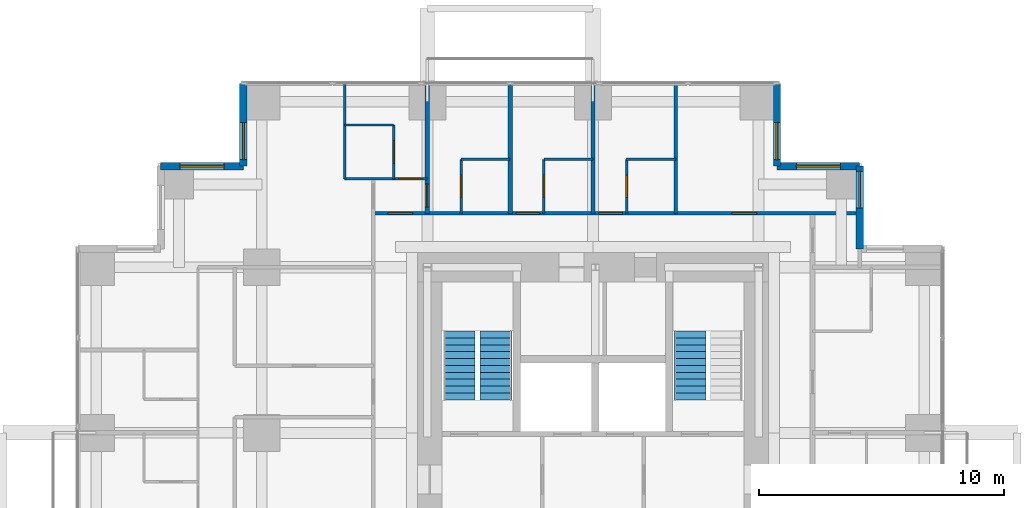
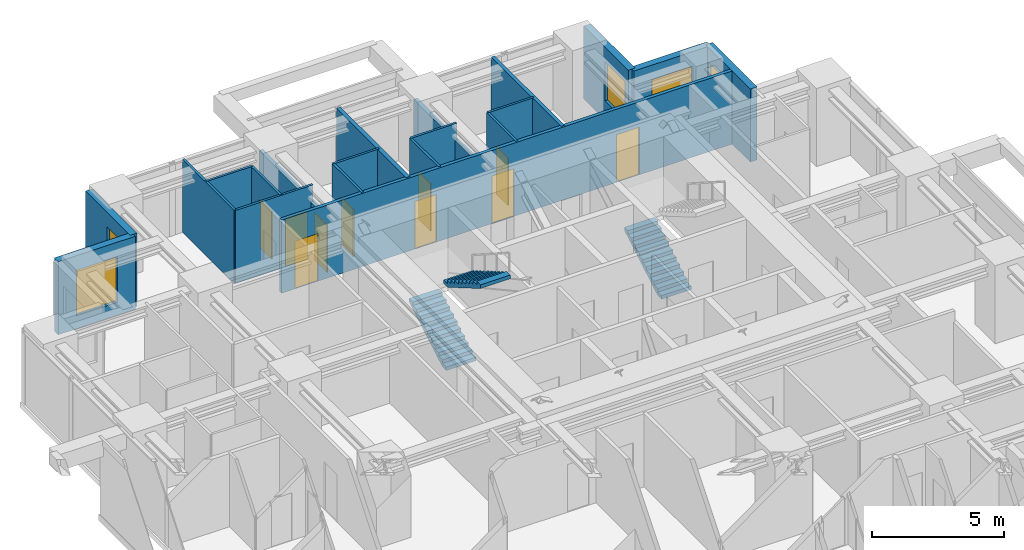
# One storey, part 9 of 11: 20 walls, 10 doors, 5 windows, 3 stair flights, 15 openings, 2 elements without a shape of their own.
"""IFC4 building model written with IfcOpenShell, lengths in metres."""

from ifc_helpers import new_model, si_unit, direction, frame, frame_2d, origin, place, context, subcontext, project, spatial, polyline, rectangle, outline, extrude, material, layer, layer_set, type_object, element, fill, aggregate, save


model = new_model("IFC4")

# Units and contexts
model_context = context("Model", 3, precision=1e-05, world=origin(), true_north=direction((0.0, 1.0)))
body_context = subcontext(model_context, "Body", "Model", "MODEL_VIEW")
ifc_project = project(units=[si_unit("LENGTHUNIT", "METRE"), si_unit("AREAUNIT", "SQUARE_METRE"), si_unit("VOLUMEUNIT", "CUBIC_METRE"), si_unit("PLANEANGLEUNIT", "RADIAN"), si_unit("MASSUNIT", "GRAM", prefix="KILO")], contexts=[model_context])

# Site, building, storey
site_placement = place(None, origin())
site = spatial("IfcSite", under=ifc_project, at=site_placement, CompositionType="ELEMENT")
building_placement = place(site_placement, origin())
building = spatial("IfcBuilding", under=site, at=building_placement, Name="Nyansa Garden Tower", CompositionType="ELEMENT")
storey_placement = place(building_placement, frame((0.0, 0.0, 160.199951171875)))
storey = spatial("IfcBuildingStorey", under=building, at=storey_placement, Name="L43", CompositionType="ELEMENT", Elevation=160.199951171875)

# Wall, opening, door
ifc_material_1 = material(Name="Dense blockwork, plastered both sides, 55 dB", Category="masonry")
ifc_layer_1 = layer(ifc_material_1, 0.175048828125)
ifc_layer_set_1 = layer_set([ifc_layer_1], Name="Acoustic party wall PW175")
wall_type_1 = type_object("IfcWallType", Name="Acoustic party wall PW175", PredefinedType="PARTITIONING", material=ifc_layer_set_1)
wall_1_placement = place(storey_placement, frame((13.5, 29.199951171875, 0.0), z_axis=(0.0, 0.0, 1.0), x_axis=(0.0, 1.0, 0.0)))
wall_1 = element("IfcWall", 1, at=wall_1_placement, inside=storey, type_object=wall_type_1, Name="Party wall", PredefinedType="PARTITIONING", context=body_context, shape_type="SweptSolid", body=[
    extrude(rectangle(XDim=5.283935546875, YDim=0.175048828125, at=frame_2d((2.64208984375, 0.0))), origin(), (0.0, 0.0, 1.0), 2.610107421875),
])
opening_1_placement = place(wall_1_placement, frame((0.25, 0.0, 0.0)))
opening_1 = element("IfcOpeningElement", 2, at=opening_1_placement, cuts=wall_1, Name="Opening D14", PredefinedType="OPENING", context=body_context, shape_type="SweptSolid", body=[
    extrude(rectangle(XDim=0.949951171875, YDim=2.199951171875, at=frame_2d((0.47509765625, 1.10009765625))), frame((0.0, 0.097412109375, 0.0), z_axis=(0.0, -1.0, 0.0), x_axis=(1.0, 0.0, 0.0)), (0.0, 0.0, 1.0), 0.195068359375),
])
ifc_material_2 = material(Name="Timber flush door, 60 minute fire resisting, self-closing", Category="wood")
door_type_1 = type_object("IfcDoorType", Name="Studio entrance door D14 950x2200", OperationType="SINGLE_SWING_LEFT", PredefinedType="DOOR", material=ifc_material_2)
door_1_placement = place(opening_1_placement, origin())
door_1 = element("IfcDoor", 3, at=door_1_placement, inside=storey, type_object=door_type_1, Name="Door L43-042", OperationType="SINGLE_SWING_LEFT", OverallHeight=2.199951171875, OverallWidth=0.949951171875, PredefinedType="DOOR", context=body_context, shape_type="SweptSolid", body=[
    extrude(rectangle(XDim=0.949951171875, YDim=2.199951171875, at=frame_2d((0.47509765625, 1.10009765625))), frame((0.0, 0.02490234375, 0.0), z_axis=(0.0, -1.0, 0.0), x_axis=(1.0, 0.0, 0.0)), (0.0, 0.0, 1.0), 0.050048828125),
])
fill(opening_1, door_1)

# Walls
wall_2_placement = place(storey_placement, frame((16.875, 29.199951171875, 0.0), z_axis=(0.0, 0.0, 1.0), x_axis=(0.0, 1.0, 0.0)))
element("IfcWall", 4, at=wall_2_placement, inside=storey, type_object=wall_type_1, Name="Party wall", PredefinedType="PARTITIONING", context=body_context, shape_type="SweptSolid", body=[
    extrude(rectangle(XDim=5.283935546875, YDim=0.175048828125, at=frame_2d((2.64208984375, 0.0))), origin(), (0.0, 0.0, 1.0), 3.375),
])
wall_3_placement = place(storey_placement, frame((20.25, 29.199951171875, 0.0), z_axis=(0.0, 0.0, 1.0), x_axis=(0.0, 1.0, 0.0)))
element("IfcWall", 5, at=wall_3_placement, inside=storey, type_object=wall_type_1, Name="Party wall", PredefinedType="PARTITIONING", context=body_context, shape_type="SweptSolid", body=[
    extrude(rectangle(XDim=5.283935546875, YDim=0.175048828125, at=frame_2d((2.64208984375, 0.0))), origin(), (0.0, 0.0, 1.0), 2.610107421875),
])

# Wall, openings, doors
ifc_material_3 = material(Name="Blockwork, plastered both sides", Category="masonry")
ifc_layer_2 = layer(ifc_material_3, 0.14990234375)
ifc_layer_set_2 = layer_set([ifc_layer_2], Name="Partition PW150")
wall_type_2 = type_object("IfcWallType", Name="Partition PW150", PredefinedType="PARTITIONING", material=ifc_layer_set_2)
wall_4_placement = place(storey_placement, frame((11.300048828125, 29.199951171875, 0.0), z_axis=(0.0, 0.0, 1.0), x_axis=(1.0, 0.0, 0.0)))
wall_4 = element("IfcWall", 6, at=wall_4_placement, inside=storey, type_object=wall_type_2, Name="Partition", PredefinedType="PARTITIONING", context=body_context, shape_type="SweptSolid", body=[
    extrude(rectangle(XDim=19.808837890625, YDim=0.14990234375, at=frame_2d((9.904296875, 0.0))), origin(), (0.0, 0.0, 1.0), 3.375),
])
opening_2_placement = place(wall_4_placement, frame((14.625, 0.0, 0.0)))
opening_2 = element("IfcOpeningElement", 7, at=opening_2_placement, cuts=wall_4, Name="Opening D03", PredefinedType="OPENING", context=body_context, shape_type="SweptSolid", body=[
    extrude(rectangle(XDim=1.0, YDim=2.199951171875, at=frame_2d((0.5, 1.10009765625))), frame((0.0, 0.0849609375, 0.0), z_axis=(0.0, -1.0, 0.0), x_axis=(1.0, 0.0, 0.0)), (0.0, 0.0, 1.0), 0.169921875),
])
opening_3_placement = place(wall_4_placement, frame((5.824951171875, 0.0, 0.0)))
opening_3 = element("IfcOpeningElement", 8, at=opening_3_placement, cuts=wall_4, Name="Opening D14", PredefinedType="OPENING", context=body_context, shape_type="SweptSolid", body=[
    extrude(rectangle(XDim=0.949951171875, YDim=2.199951171875, at=frame_2d((0.47509765625, 1.10009765625))), frame((0.0, 0.0849609375, 0.0), z_axis=(0.0, -1.0, 0.0), x_axis=(1.0, 0.0, 0.0)), (0.0, 0.0, 1.0), 0.169921875),
])
opening_4_placement = place(wall_4_placement, frame((9.199951171875, 0.0, 0.0)))
opening_4 = element("IfcOpeningElement", 9, at=opening_4_placement, cuts=wall_4, Name="Opening D14", PredefinedType="OPENING", context=body_context, shape_type="SweptSolid", body=[
    extrude(rectangle(XDim=0.949951171875, YDim=2.199951171875, at=frame_2d((0.47509765625, 1.10009765625))), frame((0.0, 0.0849609375, 0.0), z_axis=(0.0, -1.0, 0.0), x_axis=(1.0, 0.0, 0.0)), (0.0, 0.0, 1.0), 0.169921875),
])
opening_5_placement = place(wall_4_placement, frame((0.60009765625, 0.0, 0.0)))
opening_5 = element("IfcOpeningElement", 10, at=opening_5_placement, cuts=wall_4, Name="Opening D03", PredefinedType="OPENING", context=body_context, shape_type="SweptSolid", body=[
    extrude(rectangle(XDim=1.0, YDim=2.199951171875, at=frame_2d((0.5, 1.10009765625))), frame((0.0, 0.0849609375, 0.0), z_axis=(0.0, -1.0, 0.0), x_axis=(1.0, 0.0, 0.0)), (0.0, 0.0, 1.0), 0.169921875),
])
ifc_material_4 = material(Name="Timber flush door, 60 minute fire resisting", Category="wood")
door_type_2 = type_object("IfcDoorType", Name="Cluster entrance door D03 1000x2200", OperationType="SINGLE_SWING_LEFT", PredefinedType="DOOR", material=ifc_material_4)
door_2_placement = place(opening_2_placement, origin())
door_2 = element("IfcDoor", 11, at=door_2_placement, inside=storey, type_object=door_type_2, Name="Door L43-039", OperationType="SINGLE_SWING_LEFT", OverallHeight=2.199951171875, OverallWidth=1.0, PredefinedType="DOOR", context=body_context, shape_type="SweptSolid", body=[
    extrude(rectangle(XDim=1.0, YDim=2.199951171875, at=frame_2d((0.5, 1.10009765625))), frame((0.0, 0.02490234375, 0.0), z_axis=(0.0, -1.0, 0.0), x_axis=(1.0, 0.0, 0.0)), (0.0, 0.0, 1.0), 0.050048828125),
])
fill(opening_2, door_2)
door_3_placement = place(opening_5_placement, origin())
door_3 = element("IfcDoor", 12, at=door_3_placement, inside=storey, type_object=door_type_2, Name="Door L43-048", OperationType="SINGLE_SWING_LEFT", OverallHeight=2.199951171875, OverallWidth=1.0, PredefinedType="DOOR", context=body_context, shape_type="SweptSolid", body=[
    extrude(rectangle(XDim=1.0, YDim=2.199951171875, at=frame_2d((0.5, 1.10009765625))), frame((0.0, 0.02490234375, 0.0), z_axis=(0.0, -1.0, 0.0), x_axis=(1.0, 0.0, 0.0)), (0.0, 0.0, 1.0), 0.050048828125),
])
fill(opening_5, door_3)
door_4_placement = place(opening_3_placement, origin())
door_4 = element("IfcDoor", 13, at=door_4_placement, inside=storey, type_object=door_type_1, Name="Door L43-044", OperationType="SINGLE_SWING_LEFT", OverallHeight=2.199951171875, OverallWidth=0.949951171875, PredefinedType="DOOR", context=body_context, shape_type="SweptSolid", body=[
    extrude(rectangle(XDim=0.949951171875, YDim=2.199951171875, at=frame_2d((0.47509765625, 1.10009765625))), frame((0.0, 0.02490234375, 0.0), z_axis=(0.0, -1.0, 0.0), x_axis=(1.0, 0.0, 0.0)), (0.0, 0.0, 1.0), 0.050048828125),
])
fill(opening_3, door_4)
door_5_placement = place(opening_4_placement, origin())
door_5 = element("IfcDoor", 14, at=door_5_placement, inside=storey, type_object=door_type_1, Name="Door L43-046", OperationType="SINGLE_SWING_LEFT", OverallHeight=2.199951171875, OverallWidth=0.949951171875, PredefinedType="DOOR", context=body_context, shape_type="SweptSolid", body=[
    extrude(rectangle(XDim=0.949951171875, YDim=2.199951171875, at=frame_2d((0.47509765625, 1.10009765625))), frame((0.0, 0.02490234375, 0.0), z_axis=(0.0, -1.0, 0.0), x_axis=(1.0, 0.0, 0.0)), (0.0, 0.0, 1.0), 0.050048828125),
])
fill(opening_4, door_5)

# Wall
wall_5_placement = place(storey_placement, frame((23.625, 29.199951171875, 0.0), z_axis=(0.0, 0.0, 1.0), x_axis=(0.0, 1.0, 0.0)))
element("IfcWall", 15, at=wall_5_placement, inside=storey, type_object=wall_type_2, Name="Partition", PredefinedType="PARTITIONING", context=body_context, shape_type="SweptSolid", body=[
    extrude(rectangle(XDim=5.283935546875, YDim=0.14990234375, at=frame_2d((2.64208984375, 0.0))), origin(), (0.0, 0.0, 1.0), 3.375),
])

# Wall, opening, window
ifc_material_5 = material(Name="Turquoise glazed tile on concrete blockwork", Category="masonry")
ifc_layer_3 = layer(ifc_material_5, 0.300048828125)
ifc_layer_set_3 = layer_set([ifc_layer_3], Name="Tiled corner wall TW300")
wall_type_3 = type_object("IfcWallType", Name="Tiled corner wall TW300", PredefinedType="SOLIDWALL", material=ifc_layer_set_3)
wall_6_placement = place(storey_placement, frame((31.125, 27.75, 0.0), z_axis=(0.0, 0.0, 1.0), x_axis=(0.0, 1.0, 0.0)))
wall_6 = element("IfcWall", 16, at=wall_6_placement, inside=storey, type_object=wall_type_3, Name="Tiled corner wall L43", PredefinedType="SOLIDWALL", context=body_context, shape_type="SweptSolid", body=[
    extrude(rectangle(XDim=3.375, YDim=0.300048828125, at=frame_2d((1.6875, 0.0))), origin(), (0.0, 0.0, 1.0), 3.375),
])
opening_6_placement = place(wall_6_placement, frame((1.66259765625, 0.0, 0.89990234375)))
opening_6 = element("IfcOpeningElement", 17, at=opening_6_placement, cuts=wall_6, Name="Opening W1", PredefinedType="OPENING", context=body_context, shape_type="SweptSolid", body=[
    extrude(rectangle(XDim=1.5, YDim=1.800048828125, at=frame_2d((0.75, 0.89990234375))), frame((0.0, 0.159912109375, 0.0), z_axis=(0.0, -1.0, 0.0), x_axis=(1.0, 0.0, 0.0)), (0.0, 0.0, 1.0), 0.320068359375),
])
ifc_material_6 = material(Name="Black aluminium frame, dark tinted double glazing", Category="aluminium")
window_type_1 = type_object("IfcWindowType", Name="Window W1 1500x1800", PartitioningType="SINGLE_PANEL", PredefinedType="WINDOW", material=ifc_material_6)
window_1_placement = place(opening_6_placement, origin())
window_1 = element("IfcWindow", 18, at=window_1_placement, inside=storey, type_object=window_type_1, Name="Corner window L43", OverallHeight=1.800048828125, OverallWidth=1.5, PartitioningType="SINGLE_PANEL", PredefinedType="WINDOW", context=body_context, shape_type="SweptSolid", body=[
    extrude(rectangle(XDim=1.5, YDim=1.800048828125, at=frame_2d((0.75, 0.89990234375))), frame((0.0, 0.030029296875, 0.0), z_axis=(0.0, -1.0, 0.0), x_axis=(1.0, 0.0, 0.0)), (0.0, 0.0, 1.0), 0.06005859375),
])
fill(opening_6, window_1)

wall_7_placement = place(storey_placement, frame((31.125, 31.125, 0.0), z_axis=(0.0, 0.0, 1.0), x_axis=(-1.0, 0.0, 0.0)))
wall_7 = element("IfcWall", 19, at=wall_7_placement, inside=storey, type_object=wall_type_3, Name="Tiled corner wall L43", PredefinedType="SOLIDWALL", context=body_context, shape_type="SweptSolid", body=[
    extrude(rectangle(XDim=3.375, YDim=0.300048828125, at=frame_2d((1.6875, 0.0))), origin(), (0.0, 0.0, 1.0), 3.375),
])
opening_7_placement = place(wall_7_placement, frame((0.78759765625, 0.0, 0.60009765625)))
opening_7 = element("IfcOpeningElement", 20, at=opening_7_placement, cuts=wall_7, Name="Opening W2", PredefinedType="OPENING", context=body_context, shape_type="SweptSolid", body=[
    extrude(rectangle(XDim=1.800048828125, YDim=2.10009765625, at=frame_2d((0.89990234375, 1.050048828125))), frame((0.0, 0.159912109375, 0.0), z_axis=(0.0, -1.0, 0.0), x_axis=(1.0, 0.0, 0.0)), (0.0, 0.0, 1.0), 0.320068359375),
])
ifc_material_7 = material(Name="Black aluminium frame, dark tinted double glazing", Category="aluminium")
window_type_2 = type_object("IfcWindowType", Name="Window W2 1800x2100", PartitioningType="SINGLE_PANEL", PredefinedType="WINDOW", material=ifc_material_7)
window_2_placement = place(opening_7_placement, origin())
window_2 = element("IfcWindow", 21, at=window_2_placement, inside=storey, type_object=window_type_2, Name="Corner window L43", OverallHeight=2.10009765625, OverallWidth=1.800048828125, PartitioningType="SINGLE_PANEL", PredefinedType="WINDOW", context=body_context, shape_type="SweptSolid", body=[
    extrude(rectangle(XDim=1.800048828125, YDim=2.10009765625, at=frame_2d((0.89990234375, 1.050048828125))), frame((0.0, 0.030029296875, 0.0), z_axis=(0.0, -1.0, 0.0), x_axis=(1.0, 0.0, 0.0)), (0.0, 0.0, 1.0), 0.06005859375),
])
fill(opening_7, window_2)

wall_8_placement = place(storey_placement, frame((27.75, 31.125, 0.0), z_axis=(0.0, 0.0, 1.0), x_axis=(0.0, 1.0, 0.0)))
wall_8 = element("IfcWall", 22, at=wall_8_placement, inside=storey, type_object=wall_type_3, Name="Tiled corner wall L43", PredefinedType="SOLIDWALL", context=body_context, shape_type="SweptSolid", body=[
    extrude(rectangle(XDim=3.375, YDim=0.300048828125, at=frame_2d((1.6875, 0.0))), origin(), (0.0, 0.0, 1.0), 3.375),
])
opening_8_placement = place(wall_8_placement, frame((0.267578125, 0.0, 0.89990234375)))
opening_8 = element("IfcOpeningElement", 23, at=opening_8_placement, cuts=wall_8, Name="Opening W1", PredefinedType="OPENING", context=body_context, shape_type="SweptSolid", body=[
    extrude(rectangle(XDim=1.5, YDim=1.800048828125, at=frame_2d((0.75, 0.89990234375))), frame((0.0, 0.159912109375, 0.0), z_axis=(0.0, -1.0, 0.0), x_axis=(1.0, 0.0, 0.0)), (0.0, 0.0, 1.0), 0.320068359375),
])
window_3_placement = place(opening_8_placement, origin())
window_3 = element("IfcWindow", 24, at=window_3_placement, inside=storey, type_object=window_type_1, Name="Corner window L43", OverallHeight=1.800048828125, OverallWidth=1.5, PartitioningType="SINGLE_PANEL", PredefinedType="WINDOW", context=body_context, shape_type="SweptSolid", body=[
    extrude(rectangle(XDim=1.5, YDim=1.800048828125, at=frame_2d((0.75, 0.89990234375))), frame((0.0, 0.030029296875, 0.0), z_axis=(0.0, -1.0, 0.0), x_axis=(1.0, 0.0, 0.0)), (0.0, 0.0, 1.0), 0.06005859375),
])
fill(opening_8, window_3)

wall_9_placement = place(storey_placement, frame((6.0, 34.5, 0.0), z_axis=(0.0, 0.0, 1.0), x_axis=(0.0, -1.0, 0.0)))
wall_9 = element("IfcWall", 25, at=wall_9_placement, inside=storey, type_object=wall_type_3, Name="Tiled corner wall L43", PredefinedType="SOLIDWALL", context=body_context, shape_type="SweptSolid", body=[
    extrude(rectangle(XDim=3.375, YDim=0.300048828125, at=frame_2d((1.6875, 0.0))), origin(), (0.0, 0.0, 1.0), 3.375),
])
opening_9_placement = place(wall_9_placement, frame((1.607421875, 0.0, 0.89990234375)))
opening_9 = element("IfcOpeningElement", 26, at=opening_9_placement, cuts=wall_9, Name="Opening W1", PredefinedType="OPENING", context=body_context, shape_type="SweptSolid", body=[
    extrude(rectangle(XDim=1.5, YDim=1.800048828125, at=frame_2d((0.75, 0.89990234375))), frame((0.0, 0.159912109375, 0.0), z_axis=(0.0, -1.0, 0.0), x_axis=(1.0, 0.0, 0.0)), (0.0, 0.0, 1.0), 0.320068359375),
])
window_4_placement = place(opening_9_placement, origin())
window_4 = element("IfcWindow", 27, at=window_4_placement, inside=storey, type_object=window_type_1, Name="Corner window L43", OverallHeight=1.800048828125, OverallWidth=1.5, PartitioningType="SINGLE_PANEL", PredefinedType="WINDOW", context=body_context, shape_type="SweptSolid", body=[
    extrude(rectangle(XDim=1.5, YDim=1.800048828125, at=frame_2d((0.75, 0.89990234375))), frame((0.0, 0.030029296875, 0.0), z_axis=(0.0, -1.0, 0.0), x_axis=(1.0, 0.0, 0.0)), (0.0, 0.0, 1.0), 0.06005859375),
])
fill(opening_9, window_4)

wall_10_placement = place(storey_placement, frame((6.0, 31.125, 0.0), z_axis=(0.0, 0.0, 1.0), x_axis=(-1.0, 0.0, 0.0)))
wall_10 = element("IfcWall", 28, at=wall_10_placement, inside=storey, type_object=wall_type_3, Name="Tiled corner wall L43", PredefinedType="SOLIDWALL", context=body_context, shape_type="SweptSolid", body=[
    extrude(rectangle(XDim=3.375, YDim=0.300048828125, at=frame_2d((1.6875, 0.0))), origin(), (0.0, 0.0, 1.0), 3.375),
])
opening_10_placement = place(wall_10_placement, frame((0.78759765625, 0.0, 0.60009765625)))
opening_10 = element("IfcOpeningElement", 29, at=opening_10_placement, cuts=wall_10, Name="Opening W2", PredefinedType="OPENING", context=body_context, shape_type="SweptSolid", body=[
    extrude(rectangle(XDim=1.800048828125, YDim=2.10009765625, at=frame_2d((0.89990234375, 1.050048828125))), frame((0.0, 0.159912109375, 0.0), z_axis=(0.0, -1.0, 0.0), x_axis=(1.0, 0.0, 0.0)), (0.0, 0.0, 1.0), 0.320068359375),
])
window_5_placement = place(opening_10_placement, origin())
window_5 = element("IfcWindow", 30, at=window_5_placement, inside=storey, type_object=window_type_2, Name="Corner window L43", OverallHeight=2.10009765625, OverallWidth=1.800048828125, PartitioningType="SINGLE_PANEL", PredefinedType="WINDOW", context=body_context, shape_type="SweptSolid", body=[
    extrude(rectangle(XDim=1.800048828125, YDim=2.10009765625, at=frame_2d((0.89990234375, 1.050048828125))), frame((0.0, 0.030029296875, 0.0), z_axis=(0.0, -1.0, 0.0), x_axis=(1.0, 0.0, 0.0)), (0.0, 0.0, 1.0), 0.06005859375),
])
fill(opening_10, window_5)

# Wall
ifc_material_8 = material(Name="Moisture resistant board on steel studs, tiled", Category="steel")
ifc_layer_4 = layer(ifc_material_8, 0.10009765625)
ifc_layer_set_4 = layer_set([ifc_layer_4], Name="Wet wall PW100")
wall_type_4 = type_object("IfcWallType", Name="Wet wall PW100", PredefinedType="PARTITIONING", material=ifc_layer_set_4)
wall_11_placement = place(storey_placement, frame((10.125, 30.60009765625, 0.0), z_axis=(0.0, 0.0, 1.0), x_axis=(0.0, 1.0, 0.0)))
element("IfcWall", 31, at=wall_11_placement, inside=storey, type_object=wall_type_4, Name="Wet wall", PredefinedType="PARTITIONING", context=body_context, shape_type="SweptSolid", body=[
    extrude(rectangle(XDim=3.8837890625, YDim=0.10009765625, at=frame_2d((1.94189453125, 0.0))), origin(), (0.0, 0.0, 1.0), 3.375),
])

# Wall, opening, door
wall_12_placement = place(storey_placement, frame((10.125, 30.60009765625, 0.0), z_axis=(0.0, 0.0, 1.0), x_axis=(1.0, 0.0, 0.0)))
wall_12 = element("IfcWall", 32, at=wall_12_placement, inside=storey, type_object=wall_type_4, Name="Wet wall", PredefinedType="PARTITIONING", context=body_context, shape_type="SweptSolid", body=[
    extrude(rectangle(XDim=3.375, YDim=0.10009765625, at=frame_2d((1.6875, 0.0))), origin(), (0.0, 0.0, 1.0), 3.375),
])
opening_11_placement = place(wall_12_placement, frame((2.199951171875, 0.0, 0.0)))
opening_11 = element("IfcOpeningElement", 33, at=opening_11_placement, cuts=wall_12, Name="Opening D14", PredefinedType="OPENING", context=body_context, shape_type="SweptSolid", body=[
    extrude(rectangle(XDim=0.949951171875, YDim=2.199951171875, at=frame_2d((0.47509765625, 1.10009765625))), frame((0.0, 0.06005859375, 0.0), z_axis=(0.0, -1.0, 0.0), x_axis=(1.0, 0.0, 0.0)), (0.0, 0.0, 1.0), 0.1201171875),
])
door_6_placement = place(opening_11_placement, origin())
door_6 = element("IfcDoor", 34, at=door_6_placement, inside=storey, type_object=door_type_1, Name="Door L43-040", OperationType="SINGLE_SWING_LEFT", OverallHeight=2.199951171875, OverallWidth=0.949951171875, PredefinedType="DOOR", context=body_context, shape_type="SweptSolid", body=[
    extrude(rectangle(XDim=0.949951171875, YDim=2.199951171875, at=frame_2d((0.47509765625, 1.10009765625))), frame((0.0, 0.02490234375, 0.0), z_axis=(0.0, -1.0, 0.0), x_axis=(1.0, 0.0, 0.0)), (0.0, 0.0, 1.0), 0.050048828125),
])
fill(opening_11, door_6)

# Wall
wall_13_placement = place(storey_placement, frame((10.125, 32.800048828125, 0.0), z_axis=(0.0, 0.0, 1.0), x_axis=(1.0, 0.0, 0.0)))
element("IfcWall", 35, at=wall_13_placement, inside=storey, type_object=wall_type_4, Name="Wet wall", PredefinedType="PARTITIONING", context=body_context, shape_type="SweptSolid", body=[
    extrude(rectangle(XDim=2.0, YDim=0.10009765625, at=frame_2d((1.0, 0.0))), origin(), (0.0, 0.0, 1.0), 3.375),
])

# Wall, opening, door
wall_14_placement = place(storey_placement, frame((12.125, 30.60009765625, 0.0), z_axis=(0.0, 0.0, 1.0), x_axis=(0.0, 1.0, 0.0)))
wall_14 = element("IfcWall", 36, at=wall_14_placement, inside=storey, type_object=wall_type_4, Name="Wet wall", PredefinedType="PARTITIONING", context=body_context, shape_type="SweptSolid", body=[
    extrude(rectangle(XDim=2.199951171875, YDim=0.10009765625, at=frame_2d((1.10009765625, 0.0))), origin(), (0.0, 0.0, 1.0), 3.375),
])
opening_12_placement = place(wall_14_placement, frame((0.64990234375, 0.0, 0.0)))
opening_12 = element("IfcOpeningElement", 37, at=opening_12_placement, cuts=wall_14, Name="Opening D02", PredefinedType="OPENING", context=body_context, shape_type="SweptSolid", body=[
    extrude(rectangle(XDim=0.89990234375, YDim=2.199951171875, at=frame_2d((0.449951171875, 1.10009765625))), frame((0.0, 0.06005859375, 0.0), z_axis=(0.0, -1.0, 0.0), x_axis=(1.0, 0.0, 0.0)), (0.0, 0.0, 1.0), 0.1201171875),
])
ifc_material_9 = material(Name="Timber flush door", Category="wood")
door_type_3 = type_object("IfcDoorType", Name="En-suite door D02 900x2200", OperationType="SINGLE_SWING_RIGHT", PredefinedType="DOOR", material=ifc_material_9)
door_7_placement = place(opening_12_placement, origin())
door_7 = element("IfcDoor", 38, at=door_7_placement, inside=storey, type_object=door_type_3, Name="Door L43-041", OperationType="SINGLE_SWING_RIGHT", OverallHeight=2.199951171875, OverallWidth=0.89990234375, PredefinedType="DOOR", context=body_context, shape_type="SweptSolid", body=[
    extrude(rectangle(XDim=0.89990234375, YDim=2.199951171875, at=frame_2d((0.449951171875, 1.10009765625))), frame((0.0, 0.02490234375, 0.0), z_axis=(0.0, -1.0, 0.0), x_axis=(1.0, 0.0, 0.0)), (0.0, 0.0, 1.0), 0.050048828125),
])
fill(opening_12, door_7)

wall_15_placement = place(storey_placement, frame((14.875, 29.199951171875, 0.0), z_axis=(0.0, 0.0, 1.0), x_axis=(0.0, 1.0, 0.0)))
wall_15 = element("IfcWall", 39, at=wall_15_placement, inside=storey, type_object=wall_type_4, Name="Wet wall", PredefinedType="PARTITIONING", context=body_context, shape_type="SweptSolid", body=[
    extrude(rectangle(XDim=2.199951171875, YDim=0.10009765625, at=frame_2d((1.10009765625, 0.0))), origin(), (0.0, 0.0, 1.0), 3.375),
])
opening_13_placement = place(wall_15_placement, frame((0.64990234375, 0.0, 0.0)))
opening_13 = element("IfcOpeningElement", 40, at=opening_13_placement, cuts=wall_15, Name="Opening D02", PredefinedType="OPENING", context=body_context, shape_type="SweptSolid", body=[
    extrude(rectangle(XDim=0.89990234375, YDim=2.199951171875, at=frame_2d((0.449951171875, 1.10009765625))), frame((0.0, 0.06005859375, 0.0), z_axis=(0.0, -1.0, 0.0), x_axis=(1.0, 0.0, 0.0)), (0.0, 0.0, 1.0), 0.1201171875),
])
door_8_placement = place(opening_13_placement, origin())
door_8 = element("IfcDoor", 41, at=door_8_placement, inside=storey, type_object=door_type_3, Name="Door L43-043", OperationType="SINGLE_SWING_RIGHT", OverallHeight=2.199951171875, OverallWidth=0.89990234375, PredefinedType="DOOR", context=body_context, shape_type="SweptSolid", body=[
    extrude(rectangle(XDim=0.89990234375, YDim=2.199951171875, at=frame_2d((0.449951171875, 1.10009765625))), frame((0.0, 0.02490234375, 0.0), z_axis=(0.0, -1.0, 0.0), x_axis=(1.0, 0.0, 0.0)), (0.0, 0.0, 1.0), 0.050048828125),
])
fill(opening_13, door_8)

# Wall
wall_16_placement = place(storey_placement, frame((14.875, 31.39990234375, 0.0), z_axis=(0.0, 0.0, 1.0), x_axis=(1.0, 0.0, 0.0)))
element("IfcWall", 42, at=wall_16_placement, inside=storey, type_object=wall_type_4, Name="Wet wall", PredefinedType="PARTITIONING", context=body_context, shape_type="SweptSolid", body=[
    extrude(rectangle(XDim=2.0, YDim=0.10009765625, at=frame_2d((1.0, 0.0))), origin(), (0.0, 0.0, 1.0), 3.375),
])

# Wall, opening, door
wall_17_placement = place(storey_placement, frame((18.25, 29.199951171875, 0.0), z_axis=(0.0, 0.0, 1.0), x_axis=(0.0, 1.0, 0.0)))
wall_17 = element("IfcWall", 43, at=wall_17_placement, inside=storey, type_object=wall_type_4, Name="Wet wall", PredefinedType="PARTITIONING", context=body_context, shape_type="SweptSolid", body=[
    extrude(rectangle(XDim=2.199951171875, YDim=0.10009765625, at=frame_2d((1.10009765625, 0.0))), origin(), (0.0, 0.0, 1.0), 3.375),
])
opening_14_placement = place(wall_17_placement, frame((0.64990234375, 0.0, 0.0)))
opening_14 = element("IfcOpeningElement", 44, at=opening_14_placement, cuts=wall_17, Name="Opening D02", PredefinedType="OPENING", context=body_context, shape_type="SweptSolid", body=[
    extrude(rectangle(XDim=0.89990234375, YDim=2.199951171875, at=frame_2d((0.449951171875, 1.10009765625))), frame((0.0, 0.06005859375, 0.0), z_axis=(0.0, -1.0, 0.0), x_axis=(1.0, 0.0, 0.0)), (0.0, 0.0, 1.0), 0.1201171875),
])
door_9_placement = place(opening_14_placement, origin())
door_9 = element("IfcDoor", 45, at=door_9_placement, inside=storey, type_object=door_type_3, Name="Door L43-045", OperationType="SINGLE_SWING_RIGHT", OverallHeight=2.199951171875, OverallWidth=0.89990234375, PredefinedType="DOOR", context=body_context, shape_type="SweptSolid", body=[
    extrude(rectangle(XDim=0.89990234375, YDim=2.199951171875, at=frame_2d((0.449951171875, 1.10009765625))), frame((0.0, 0.02490234375, 0.0), z_axis=(0.0, -1.0, 0.0), x_axis=(1.0, 0.0, 0.0)), (0.0, 0.0, 1.0), 0.050048828125),
])
fill(opening_14, door_9)

# Wall
wall_18_placement = place(storey_placement, frame((18.25, 31.39990234375, 0.0), z_axis=(0.0, 0.0, 1.0), x_axis=(1.0, 0.0, 0.0)))
element("IfcWall", 46, at=wall_18_placement, inside=storey, type_object=wall_type_4, Name="Wet wall", PredefinedType="PARTITIONING", context=body_context, shape_type="SweptSolid", body=[
    extrude(rectangle(XDim=2.0, YDim=0.10009765625, at=frame_2d((1.0, 0.0))), origin(), (0.0, 0.0, 1.0), 3.375),
])

# Wall, opening, door
wall_19_placement = place(storey_placement, frame((21.625, 29.199951171875, 0.0), z_axis=(0.0, 0.0, 1.0), x_axis=(0.0, 1.0, 0.0)))
wall_19 = element("IfcWall", 47, at=wall_19_placement, inside=storey, type_object=wall_type_4, Name="Wet wall", PredefinedType="PARTITIONING", context=body_context, shape_type="SweptSolid", body=[
    extrude(rectangle(XDim=2.199951171875, YDim=0.10009765625, at=frame_2d((1.10009765625, 0.0))), origin(), (0.0, 0.0, 1.0), 3.375),
])
opening_15_placement = place(wall_19_placement, frame((0.64990234375, 0.0, 0.0)))
opening_15 = element("IfcOpeningElement", 48, at=opening_15_placement, cuts=wall_19, Name="Opening D02", PredefinedType="OPENING", context=body_context, shape_type="SweptSolid", body=[
    extrude(rectangle(XDim=0.89990234375, YDim=2.199951171875, at=frame_2d((0.449951171875, 1.10009765625))), frame((0.0, 0.06005859375, 0.0), z_axis=(0.0, -1.0, 0.0), x_axis=(1.0, 0.0, 0.0)), (0.0, 0.0, 1.0), 0.1201171875),
])
door_10_placement = place(opening_15_placement, origin())
door_10 = element("IfcDoor", 49, at=door_10_placement, inside=storey, type_object=door_type_3, Name="Door L43-047", OperationType="SINGLE_SWING_RIGHT", OverallHeight=2.199951171875, OverallWidth=0.89990234375, PredefinedType="DOOR", context=body_context, shape_type="SweptSolid", body=[
    extrude(rectangle(XDim=0.89990234375, YDim=2.199951171875, at=frame_2d((0.449951171875, 1.10009765625))), frame((0.0, 0.02490234375, 0.0), z_axis=(0.0, -1.0, 0.0), x_axis=(1.0, 0.0, 0.0)), (0.0, 0.0, 1.0), 0.050048828125),
])
fill(opening_15, door_10)

# Wall
wall_20_placement = place(storey_placement, frame((21.625, 31.39990234375, 0.0), z_axis=(0.0, 0.0, 1.0), x_axis=(1.0, 0.0, 0.0)))
element("IfcWall", 50, at=wall_20_placement, inside=storey, type_object=wall_type_4, Name="Wet wall", PredefinedType="PARTITIONING", context=body_context, shape_type="SweptSolid", body=[
    extrude(rectangle(XDim=2.0, YDim=0.10009765625, at=frame_2d((1.0, 0.0))), origin(), (0.0, 0.0, 1.0), 3.375),
])

# Stair, stair flights
ifc_material_10 = material(Name="Precast concrete C40/50", Category="concrete")
stair_type_1 = type_object("IfcStairType", Name="Stair S1 164x280", PredefinedType="HALF_TURN_STAIR", material=ifc_material_10)
stair_1_placement = place(storey_placement, origin())
stair_1 = element("IfcStair", 51, at=stair_1_placement, inside=storey, type_object=stair_type_1, Name="Stair S1 L43", PredefinedType="HALF_TURN_STAIR")
ifc_material_11 = material(Name="Precast concrete C40/50", Category="concrete")
stair_flight_type_1 = type_object("IfcStairFlightType", Name="Stair flight S1 164x280x11", PredefinedType="STRAIGHT", material=ifc_material_11)
stair_flight_1_placement = place(storey_placement, frame((14.800048828125, 21.60009765625, 0.0), z_axis=(0.0, 0.0, 1.0), x_axis=(0.0, 1.0, 0.0)))
stair_flight_1 = element("IfcStairFlight", 52, at=stair_flight_1_placement, type_object=stair_flight_type_1, Name="S1 flight 1", NumberOfRisers=11, NumberOfTreads=10, PredefinedType="STRAIGHT", RiserHeight=0.163636364, TreadLength=0.28, context=body_context, shape_type="SweptSolid", body=[
    extrude(outline(polyline([(0.0, 0.0), (0.0, 0.16357421875), (0.280029296875, 0.16357421875), (0.280029296875, 0.327392578125), (0.56005859375, 0.327392578125), (0.56005859375, 0.490966796875), (0.840087890625, 0.490966796875), (0.840087890625, 0.654541015625), (1.1201171875, 0.654541015625), (1.1201171875, 0.818115234375), (1.39990234375, 0.818115234375), (1.39990234375, 0.98193359375), (1.679931640625, 0.98193359375), (1.679931640625, 1.1455078125), (1.9599609375, 1.1455078125), (1.9599609375, 1.30908203125), (2.239990234375, 1.30908203125), (2.239990234375, 1.47265625), (2.52001953125, 1.47265625), (2.52001953125, 1.636474609375), (2.800048828125, 1.636474609375), (2.800048828125, 1.800048828125), (2.800048828125, 1.462646484375), (0.297119140625, 0.0), (0.0, 0.0)])), frame((0.0, 0.64990234375, 0.0), z_axis=(0.0, -1.0, 0.0), x_axis=(1.0, 0.0, 0.0)), (0.0, 0.0, 1.0), 1.300048828125),
])
stair_flight_2_placement = place(storey_placement, frame((16.300048828125, 24.39990234375, 1.800048828125), z_axis=(0.0, 0.0, 1.0), x_axis=(0.0, -1.0, 0.0)))
stair_flight_2 = element("IfcStairFlight", 53, at=stair_flight_2_placement, type_object=stair_flight_type_1, Name="S1 flight 2", NumberOfRisers=11, NumberOfTreads=10, PredefinedType="STRAIGHT", RiserHeight=0.163636364, TreadLength=0.28, context=body_context, shape_type="SweptSolid", body=[
    extrude(outline(polyline([(0.0, 0.0), (0.0, 0.16357421875), (0.280029296875, 0.16357421875), (0.280029296875, 0.327392578125), (0.56005859375, 0.327392578125), (0.56005859375, 0.490966796875), (0.840087890625, 0.490966796875), (0.840087890625, 0.654541015625), (1.1201171875, 0.654541015625), (1.1201171875, 0.818115234375), (1.39990234375, 0.818115234375), (1.39990234375, 0.98193359375), (1.679931640625, 0.98193359375), (1.679931640625, 1.1455078125), (1.9599609375, 1.1455078125), (1.9599609375, 1.30908203125), (2.239990234375, 1.30908203125), (2.239990234375, 1.47265625), (2.52001953125, 1.47265625), (2.52001953125, 1.636474609375), (2.800048828125, 1.636474609375), (2.800048828125, 1.800048828125), (2.800048828125, 1.462646484375), (0.297119140625, 0.0), (0.0, 0.0)])), frame((0.0, 0.64990234375, 0.0), z_axis=(0.0, -1.0, 0.0), x_axis=(1.0, 0.0, 0.0)), (0.0, 0.0, 1.0), 1.300048828125),
])
aggregate(stair_1, [stair_flight_1, stair_flight_2])

# Stair, stair flight
ifc_material_12 = material(Name="Precast concrete C40/50", Category="concrete")
stair_type_2 = type_object("IfcStairType", Name="Stair S2 164x280", PredefinedType="HALF_TURN_STAIR", material=ifc_material_12)
stair_2_placement = place(storey_placement, origin())
stair_2 = element("IfcStair", 54, at=stair_2_placement, inside=storey, type_object=stair_type_2, Name="Stair S2 L43", PredefinedType="HALF_TURN_STAIR")
ifc_material_13 = material(Name="Precast concrete C40/50", Category="concrete")
stair_flight_type_2 = type_object("IfcStairFlightType", Name="Stair flight S2 164x280x11", PredefinedType="STRAIGHT", material=ifc_material_13)
stair_flight_3_placement = place(storey_placement, frame((24.199951171875, 21.60009765625, 0.0), z_axis=(0.0, 0.0, 1.0), x_axis=(0.0, 1.0, 0.0)))
stair_flight_3 = element("IfcStairFlight", 55, at=stair_flight_3_placement, type_object=stair_flight_type_2, Name="S2 flight 1", NumberOfRisers=11, NumberOfTreads=10, PredefinedType="STRAIGHT", RiserHeight=0.163636364, TreadLength=0.28, context=body_context, shape_type="SweptSolid", body=[
    extrude(outline(polyline([(0.0, 0.0), (0.0, 0.16357421875), (0.280029296875, 0.16357421875), (0.280029296875, 0.327392578125), (0.56005859375, 0.327392578125), (0.56005859375, 0.490966796875), (0.840087890625, 0.490966796875), (0.840087890625, 0.654541015625), (1.1201171875, 0.654541015625), (1.1201171875, 0.818115234375), (1.39990234375, 0.818115234375), (1.39990234375, 0.98193359375), (1.679931640625, 0.98193359375), (1.679931640625, 1.1455078125), (1.9599609375, 1.1455078125), (1.9599609375, 1.30908203125), (2.239990234375, 1.30908203125), (2.239990234375, 1.47265625), (2.52001953125, 1.47265625), (2.52001953125, 1.636474609375), (2.800048828125, 1.636474609375), (2.800048828125, 1.800048828125), (2.800048828125, 1.462646484375), (0.297119140625, 0.0), (0.0, 0.0)])), frame((0.0, 0.64990234375, 0.0), z_axis=(0.0, -1.0, 0.0), x_axis=(1.0, 0.0, 0.0)), (0.0, 0.0, 1.0), 1.300048828125),
])
aggregate(stair_2, [stair_flight_3])

save(model, "model.ifc")
